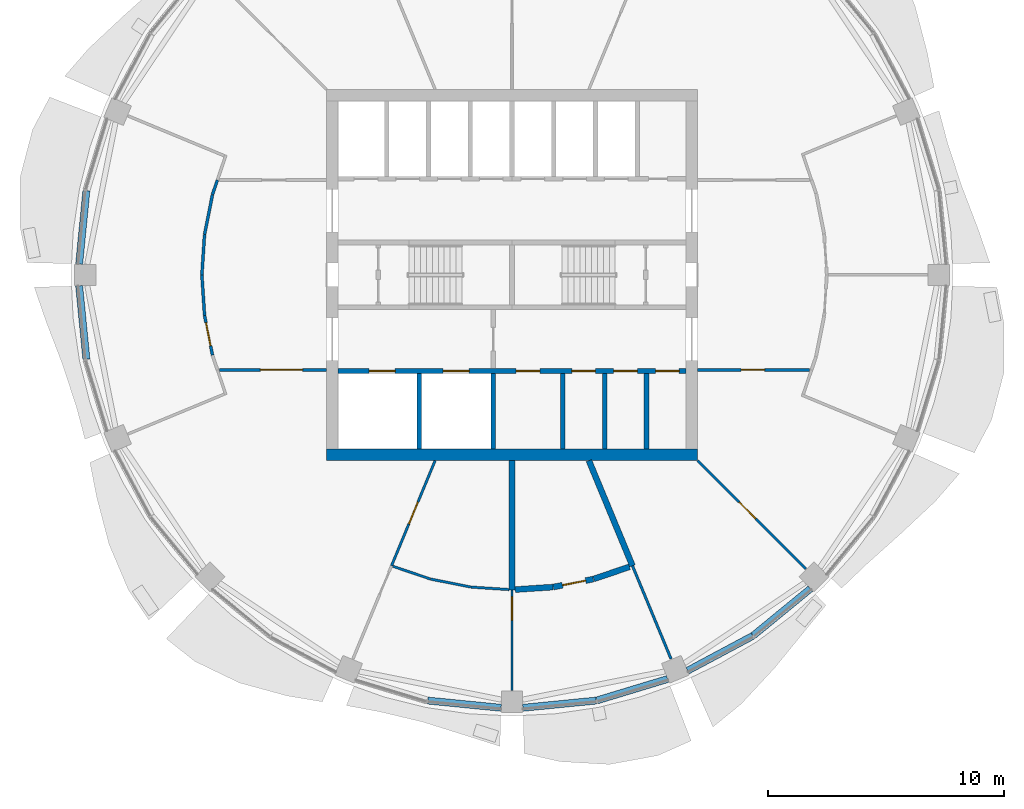
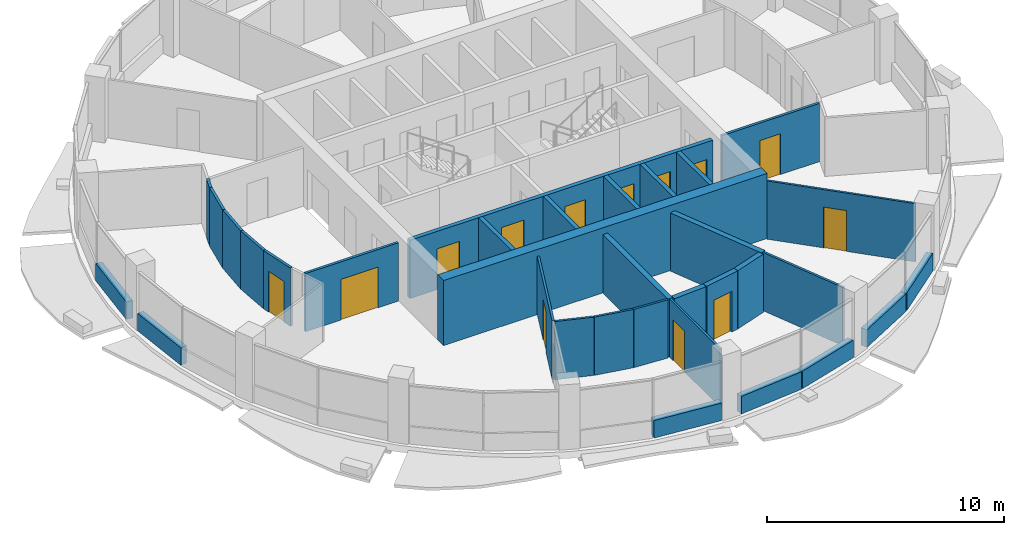
# One storey, part 8 of 15: 33 walls, 13 doors, 13 openings.
"""IFC4 building model written with IfcOpenShell, lengths in metres."""

from ifc_helpers import new_model, si_unit, direction, frame, frame_2d, origin, place, context, subcontext, project, spatial, rectangle, extrude, material, layer, layer_set, type_object, element, fill, save


model = new_model("IFC4")

# Units and contexts
model_context = context("Model", 3, precision=1e-05, world=origin(), true_north=direction((0.0, 1.0)))
body_context = subcontext(model_context, "Body", "Model", "MODEL_VIEW")
ifc_project = project(units=[si_unit("LENGTHUNIT", "METRE"), si_unit("AREAUNIT", "SQUARE_METRE"), si_unit("VOLUMEUNIT", "CUBIC_METRE"), si_unit("PLANEANGLEUNIT", "RADIAN"), si_unit("MASSUNIT", "GRAM", prefix="KILO")], contexts=[model_context])

# Site, building, storey
site_placement = place(None, origin())
site = spatial("IfcSite", under=ifc_project, at=site_placement, CompositionType="ELEMENT")
building_placement = place(site_placement, origin())
building = spatial("IfcBuilding", under=site, at=building_placement, Name="Polderwave Tower", CompositionType="ELEMENT")
storey_placement = place(building_placement, frame((0.0, 0.0, 174.25)))
storey = spatial("IfcBuildingStorey", under=building, at=storey_placement, Name="L46", CompositionType="ELEMENT", Elevation=174.25)

# Walls
ifc_material_1 = material(Name="Concrete C60/75", Category="concrete")
ifc_layer_1 = layer(ifc_material_1, 0.5)
ifc_layer_set_1 = layer_set([ifc_layer_1], Name="CORE WALL 500 C60/75")
wall_type_1 = type_object("IfcWallType", Name="CORE WALL 500 C60/75", PredefinedType="SHEAR", material=ifc_layer_set_1)
wall_1_placement = place(storey_placement, frame((-7.8740234375, -7.6240234375, 0.0), z_axis=(0.0, 0.0, 1.0), x_axis=(1.0, 0.0, 0.0)))
element("IfcWall", 1, at=wall_1_placement, inside=storey, type_object=wall_type_1, Name="ST-CORE-L46-S", PredefinedType="SHEAR", context=body_context, shape_type="SweptSolid", body=[
    extrude(rectangle(XDim=15.748046875, YDim=0.5, at=frame_2d((7.8740234375, 0.0))), origin(), (0.0, 0.0, 1.0), 3.35009765625),
])
ifc_material_2 = material(Name="Concrete C50/60 (board-marked)", Category="concrete")
ifc_layer_2 = layer(ifc_material_2, 0.300048828125)
ifc_layer_set_2 = layer_set([ifc_layer_2], Name="Concrete spandrel upstand C50/60")
wall_type_2 = type_object("IfcWallType", Name="Concrete spandrel upstand C50/60", PredefinedType="SOLIDWALL", material=ifc_layer_set_2)
for number, where, z_axis, x_axis, name in (
    (2, (-18.047607421875, 3.57421875, 0.0), (0.0, 0.0, 1.0), (-0.098188848083, -0.995167799978, 0.0), "Spandrel L46 8b"),
    (3, (-18.3544921875, -0.4638671875, 0.0), (0.0, 0.0, 1.0), (0.098188848083, -0.995167799978, 0.0), "Spandrel L46 9a"),
    (4, (-3.57421875, -18.047607421875, 0.0), (0.0, 0.0, 1.0), (0.995167799978, -0.098188848083, 0.0), "Spandrel L46 12b"),
    (5, (0.4638671875, -18.3544921875, 0.0), (0.0, 0.0, 1.0), (0.995167799978, 0.098188848083, 0.0), "Spandrel L46 13a"),
):
    element("IfcWall", number, at=place(storey_placement, frame(where, z_axis=z_axis, x_axis=x_axis)), inside=storey, type_object=wall_type_2, Name=name, PredefinedType="SOLIDWALL", context=body_context, shape_type="SweptSolid", body=[
        extrude(rectangle(XDim=3.12548828125, YDim=0.300048828125, at=frame_2d((1.562744140625, 0.0))), origin(), (0.0, 0.0, 1.0), 0.89990234375),
    ])
wall_2_placement = place(storey_placement, frame((3.603515625, -18.04150390625, 0.0), z_axis=(0.0, 0.0, 1.0), x_axis=(0.957001416136, 0.290083245834, 0.0)))
element("IfcWall", 6, at=wall_2_placement, inside=storey, type_object=wall_type_2, Name="Spandrel L46 13b", PredefinedType="SOLIDWALL", context=body_context, shape_type="SweptSolid", body=[
    extrude(rectangle(XDim=3.126708984375, YDim=0.300048828125, at=frame_2d((1.5634765625, 0.0))), origin(), (0.0, 0.0, 1.0), 0.89990234375),
])
wall_3_placement = place(storey_placement, frame((7.4521484375, -16.77880859375, 0.0), z_axis=(0.0, 0.0, 1.0), x_axis=(0.882024038027, 0.47120441036, 0.0)))
element("IfcWall", 7, at=wall_3_placement, inside=storey, type_object=wall_type_2, Name="Spandrel L46 14a", PredefinedType="SOLIDWALL", context=body_context, shape_type="SweptSolid", body=[
    extrude(rectangle(XDim=3.125244140625, YDim=0.300048828125, at=frame_2d((1.5625, 0.0))), origin(), (0.0, 0.0, 1.0), 0.89990234375),
])
wall_4_placement = place(storey_placement, frame((10.233642578125, -15.28955078125, 0.0), z_axis=(0.0, 0.0, 1.0), x_axis=(0.773170547901, 0.634198158195, 0.0)))
element("IfcWall", 8, at=wall_4_placement, inside=storey, type_object=wall_type_2, Name="Spandrel L46 14b", PredefinedType="SOLIDWALL", context=body_context, shape_type="SweptSolid", body=[
    extrude(rectangle(XDim=3.126953125, YDim=0.300048828125, at=frame_2d((1.5634765625, 0.0))), origin(), (0.0, 0.0, 1.0), 0.89990234375),
])
ifc_material_3 = material(Name="Gypsum board partition")
ifc_layer_3 = layer(ifc_material_3, 0.199951171875)
ifc_layer_set_3 = layer_set([ifc_layer_3], Name="Core room partition 200")
wall_type_3 = type_object("IfcWallType", Name="Core room partition 200", PredefinedType="PARTITIONING", material=ifc_layer_set_3)
for number, where, z_axis, x_axis, name in (
    (9, (2.153564453125, -7.3740234375, 0.0), (0.0, 0.0, 1.0), (0.0, 1.0, 0.0), "L46 room partition S1"),
    (10, (3.927001953125, -7.3740234375, 0.0), (0.0, 0.0, 1.0), (0.0, 1.0, 0.0), "L46 room partition S2"),
    (11, (5.700439453125, -7.3740234375, 0.0), (0.0, 0.0, 1.0), (0.0, 1.0, 0.0), "L46 room partition S3"),
):
    element("IfcWall", number, at=place(storey_placement, frame(where, z_axis=z_axis, x_axis=x_axis)), inside=storey, type_object=wall_type_3, Name=name, PredefinedType="PARTITIONING", context=body_context, shape_type="SweptSolid", body=[
        extrude(rectangle(XDim=3.199951171875, YDim=0.199951171875, at=frame_2d((1.60009765625, 0.0))), origin(), (0.0, 0.0, 1.0), 3.0),
    ])

# Wall, openings, doors
ifc_material_4 = material(Name="Concrete C50/60", Category="concrete")
ifc_layer_4 = layer(ifc_material_4, 0.199951171875)
ifc_layer_set_4 = layer_set([ifc_layer_4], Name="Core web wall 200")
wall_type_4 = type_object("IfcWallType", Name="Core web wall 200", PredefinedType="SHEAR", material=ifc_layer_set_4)
wall_5_placement = place(storey_placement, frame((-7.3740234375, -4.073974609375, 0.0), z_axis=(0.0, 0.0, 1.0), x_axis=(1.0, 0.0, 0.0)))
wall_5 = element("IfcWall", 12, at=wall_5_placement, inside=storey, type_object=wall_type_4, Name="L46 south front wall", PredefinedType="SHEAR", context=body_context, shape_type="SweptSolid", body=[
    extrude(rectangle(XDim=14.748046875, YDim=0.199951171875, at=frame_2d((7.3740234375, 0.0))), origin(), (0.0, 0.0, 1.0), 3.0),
])
opening_1_placement = place(wall_5_placement, frame((1.318603515625, 0.0, 0.0)))
opening_1 = element("IfcOpeningElement", 13, at=opening_1_placement, cuts=wall_5, Name="Opening L46-D01", PredefinedType="OPENING", context=body_context, shape_type="SweptSolid", body=[
    extrude(rectangle(XDim=1.10009765625, YDim=2.10009765625, at=frame_2d((0.550048828125, 1.050048828125))), frame((0.0, 0.10986328125, 0.0), z_axis=(0.0, -1.0, 0.0), x_axis=(1.0, 0.0, 0.0)), (0.0, 0.0, 1.0), 0.219970703125),
])
opening_2_placement = place(wall_5_placement, frame((4.45556640625, 0.0, 0.0)))
opening_2 = element("IfcOpeningElement", 14, at=opening_2_placement, cuts=wall_5, Name="Opening L46-D02", PredefinedType="OPENING", context=body_context, shape_type="SweptSolid", body=[
    extrude(rectangle(XDim=1.10009765625, YDim=2.10009765625, at=frame_2d((0.550048828125, 1.050048828125))), frame((0.0, 0.10986328125, 0.0), z_axis=(0.0, -1.0, 0.0), x_axis=(1.0, 0.0, 0.0)), (0.0, 0.0, 1.0), 0.219970703125),
])
opening_3_placement = place(wall_5_placement, frame((7.55078125, 0.0, 0.0)))
opening_3 = element("IfcOpeningElement", 15, at=opening_3_placement, cuts=wall_5, Name="Opening L46-D15", PredefinedType="OPENING", context=body_context, shape_type="SweptSolid", body=[
    extrude(rectangle(XDim=1.0, YDim=2.10009765625, at=frame_2d((0.5, 1.050048828125))), frame((0.0, 0.10986328125, 0.0), z_axis=(0.0, -1.0, 0.0), x_axis=(1.0, 0.0, 0.0)), (0.0, 0.0, 1.0), 0.219970703125),
])
opening_4_placement = place(wall_5_placement, frame((9.914306640625, 0.0, 0.0)))
opening_4 = element("IfcOpeningElement", 16, at=opening_4_placement, cuts=wall_5, Name="Opening L46-D16", PredefinedType="OPENING", context=body_context, shape_type="SweptSolid", body=[
    extrude(rectangle(XDim=1.0, YDim=2.10009765625, at=frame_2d((0.5, 1.050048828125))), frame((0.0, 0.10986328125, 0.0), z_axis=(0.0, -1.0, 0.0), x_axis=(1.0, 0.0, 0.0)), (0.0, 0.0, 1.0), 0.219970703125),
])
opening_5_placement = place(wall_5_placement, frame((11.687744140625, 0.0, 0.0)))
opening_5 = element("IfcOpeningElement", 17, at=opening_5_placement, cuts=wall_5, Name="Opening L46-D17", PredefinedType="OPENING", context=body_context, shape_type="SweptSolid", body=[
    extrude(rectangle(XDim=1.0, YDim=2.10009765625, at=frame_2d((0.5, 1.050048828125))), frame((0.0, 0.10986328125, 0.0), z_axis=(0.0, -1.0, 0.0), x_axis=(1.0, 0.0, 0.0)), (0.0, 0.0, 1.0), 0.219970703125),
])
opening_6_placement = place(wall_5_placement, frame((13.461181640625, 0.0, 0.0)))
opening_6 = element("IfcOpeningElement", 18, at=opening_6_placement, cuts=wall_5, Name="Opening L46-D18", PredefinedType="OPENING", context=body_context, shape_type="SweptSolid", body=[
    extrude(rectangle(XDim=1.0, YDim=2.10009765625, at=frame_2d((0.5, 1.050048828125))), frame((0.0, 0.10986328125, 0.0), z_axis=(0.0, -1.0, 0.0), x_axis=(1.0, 0.0, 0.0)), (0.0, 0.0, 1.0), 0.219970703125),
])
ifc_material_5 = material(Name="Stainless steel", Category="steel")
door_type_1 = type_object("IfcDoorType", Name="Fire-fighting lift landing door 1100", OperationType="DOUBLE_DOOR_SLIDING", PredefinedType="DOOR", material=ifc_material_5)
door_1_placement = place(opening_1_placement, origin())
door_1 = element("IfcDoor", 19, at=door_1_placement, inside=storey, type_object=door_type_1, Name="Fire-fighting lift FF1 landing door", OperationType="DOUBLE_DOOR_SLIDING", OverallHeight=2.10009765625, OverallWidth=1.10009765625, PredefinedType="DOOR", context=body_context, shape_type="SweptSolid", body=[
    extrude(rectangle(XDim=1.10009765625, YDim=2.10009765625, at=frame_2d((0.550048828125, 1.050048828125))), frame((0.0, 0.02490234375, 0.0), z_axis=(0.0, -1.0, 0.0), x_axis=(1.0, 0.0, 0.0)), (0.0, 0.0, 1.0), 0.050048828125),
])
fill(opening_1, door_1)
door_2_placement = place(opening_2_placement, origin())
door_2 = element("IfcDoor", 20, at=door_2_placement, inside=storey, type_object=door_type_1, Name="Fire-fighting lift FF2 landing door", OperationType="DOUBLE_DOOR_SLIDING", OverallHeight=2.10009765625, OverallWidth=1.10009765625, PredefinedType="DOOR", context=body_context, shape_type="SweptSolid", body=[
    extrude(rectangle(XDim=1.10009765625, YDim=2.10009765625, at=frame_2d((0.550048828125, 1.050048828125))), frame((0.0, 0.02490234375, 0.0), z_axis=(0.0, -1.0, 0.0), x_axis=(1.0, 0.0, 0.0)), (0.0, 0.0, 1.0), 0.050048828125),
])
fill(opening_2, door_2)
ifc_material_6 = material(Name="Timber door leaf", Category="wood")
door_type_2 = type_object("IfcDoorType", Name="Room door 1000", OperationType="NOTDEFINED", PredefinedType="DOOR", material=ifc_material_6)
door_3_placement = place(opening_3_placement, frame((1.0, 0.0, 0.0), z_axis=(0.0, 0.0, 1.0), x_axis=(-1.0, 0.0, 0.0)))
door_3 = element("IfcDoor", 21, at=door_3_placement, inside=storey, type_object=door_type_2, Name="Pantry door", OperationType="SINGLE_SWING_LEFT", OverallHeight=2.10009765625, OverallWidth=1.0, PredefinedType="DOOR", context=body_context, shape_type="SweptSolid", body=[
    extrude(rectangle(XDim=1.0, YDim=2.10009765625, at=frame_2d((0.5, 1.050048828125))), frame((0.0, 0.02490234375, 0.0), z_axis=(0.0, -1.0, 0.0), x_axis=(1.0, 0.0, 0.0)), (0.0, 0.0, 1.0), 0.050048828125),
])
fill(opening_3, door_3)
door_4_placement = place(opening_4_placement, frame((1.0, 0.0, 0.0), z_axis=(0.0, 0.0, 1.0), x_axis=(-1.0, 0.0, 0.0)))
door_4 = element("IfcDoor", 22, at=door_4_placement, inside=storey, type_object=door_type_2, Name="Store door", OperationType="SINGLE_SWING_LEFT", OverallHeight=2.10009765625, OverallWidth=1.0, PredefinedType="DOOR", context=body_context, shape_type="SweptSolid", body=[
    extrude(rectangle(XDim=1.0, YDim=2.10009765625, at=frame_2d((0.5, 1.050048828125))), frame((0.0, 0.02490234375, 0.0), z_axis=(0.0, -1.0, 0.0), x_axis=(1.0, 0.0, 0.0)), (0.0, 0.0, 1.0), 0.050048828125),
])
fill(opening_4, door_4)
door_5_placement = place(opening_5_placement, frame((1.0, 0.0, 0.0), z_axis=(0.0, 0.0, 1.0), x_axis=(-1.0, 0.0, 0.0)))
door_5 = element("IfcDoor", 23, at=door_5_placement, inside=storey, type_object=door_type_2, Name="Staff WC door", OperationType="SINGLE_SWING_LEFT", OverallHeight=2.10009765625, OverallWidth=1.0, PredefinedType="DOOR", context=body_context, shape_type="SweptSolid", body=[
    extrude(rectangle(XDim=1.0, YDim=2.10009765625, at=frame_2d((0.5, 1.050048828125))), frame((0.0, 0.02490234375, 0.0), z_axis=(0.0, -1.0, 0.0), x_axis=(1.0, 0.0, 0.0)), (0.0, 0.0, 1.0), 0.050048828125),
])
fill(opening_5, door_5)
door_6_placement = place(opening_6_placement, frame((1.0, 0.0, 0.0), z_axis=(0.0, 0.0, 1.0), x_axis=(-1.0, 0.0, 0.0)))
door_6 = element("IfcDoor", 24, at=door_6_placement, inside=storey, type_object=door_type_2, Name="Cleaner's store door", OperationType="SINGLE_SWING_LEFT", OverallHeight=2.10009765625, OverallWidth=1.0, PredefinedType="DOOR", context=body_context, shape_type="SweptSolid", body=[
    extrude(rectangle(XDim=1.0, YDim=2.10009765625, at=frame_2d((0.5, 1.050048828125))), frame((0.0, 0.02490234375, 0.0), z_axis=(0.0, -1.0, 0.0), x_axis=(1.0, 0.0, 0.0)), (0.0, 0.0, 1.0), 0.050048828125),
])
fill(opening_6, door_6)

# Wall, opening, door
ifc_material_7 = material(Name="Fire-resisting board on steel studs", Category="steel")
ifc_layer_5 = layer(ifc_material_7, 0.125)
ifc_layer_set_5 = layer_set([ifc_layer_5], Name="Corridor wall 125 mm EI 60")
wall_type_5 = type_object("IfcWallType", Name="Corridor wall 125 mm EI 60", PredefinedType="PARTITIONING", material=ifc_layer_set_5)
wall_6_placement = place(storey_placement, frame((12.61474609375, -4.0244140625, 0.0), z_axis=(0.0, 0.0, 1.0), x_axis=(-1.0, 0.0, 0.0)))
wall_6 = element("IfcWall", 25, at=wall_6_placement, inside=storey, type_object=wall_type_5, Name="IN-L46-W005", PredefinedType="PARTITIONING", context=body_context, shape_type="SweptSolid", body=[
    extrude(rectangle(XDim=4.74072265625, YDim=0.125, at=frame_2d((2.370361328125, 0.0))), origin(), (0.0, 0.0, 1.0), 3.0),
])
opening_7_placement = place(wall_6_placement, frame((1.89990234375, 0.0, 0.0)))
opening_7 = element("IfcOpeningElement", 26, at=opening_7_placement, cuts=wall_6, Name="Opening L46-D52", PredefinedType="OPENING", context=body_context, shape_type="SweptSolid", body=[
    extrude(rectangle(XDim=1.0, YDim=2.10009765625, at=frame_2d((0.5, 1.050048828125))), frame((0.0, 0.072509765625, 0.0), z_axis=(0.0, -1.0, 0.0), x_axis=(1.0, 0.0, 0.0)), (0.0, 0.0, 1.0), 0.14501953125),
])
ifc_material_8 = material(Name="Timber fire door leaf", Category="wood")
door_type_3 = type_object("IfcDoorType", Name="Fire door FD30S 1000 x 2100", OperationType="NOTDEFINED", PredefinedType="DOOR", material=ifc_material_8)
door_7_placement = place(opening_7_placement, origin())
door_7 = element("IfcDoor", 27, at=door_7_placement, inside=storey, type_object=door_type_3, Name="Door L46-D52", OperationType="SINGLE_SWING_RIGHT", OverallHeight=2.10009765625, OverallWidth=1.0, PredefinedType="DOOR", context=body_context, shape_type="SweptSolid", body=[
    extrude(rectangle(XDim=1.0, YDim=2.10009765625, at=frame_2d((0.5, 1.050048828125))), frame((0.0, 0.02490234375, 0.0), z_axis=(0.0, -1.0, 0.0), x_axis=(1.0, 0.0, 0.0)), (0.0, 0.0, 1.0), 0.050048828125),
])
fill(opening_7, door_7)

# Walls
for number, where, z_axis, x_axis, name in (
    (28, (-13.149658203125, 0.004150390625, 0.0), (0.0, 0.0, 1.0), (0.06531684654, 0.997864574759, 0.0), "IN-L46-W010"),
    (29, (-13.037841796875, -1.71240234375, 0.0), (0.0, 0.0, 1.0), (-0.06531684654, 0.997864574759, 0.0), "IN-L46-W011"),
    (30, (-13.03662109375, 1.720458984375, 0.0), (0.0, 0.0, 1.0), (0.195101249107, 0.980783106806, 0.0), "IN-L46-W012"),
):
    element("IfcWall", number, at=place(storey_placement, frame(where, z_axis=z_axis, x_axis=x_axis)), inside=storey, type_object=wall_type_5, Name=name, PredefinedType="PARTITIONING", context=body_context, shape_type="SweptSolid", body=[
        extrude(rectangle(XDim=1.7119140625, YDim=0.125, at=frame_2d((0.85595703125, 0.0))), origin(), (0.0, 0.0, 1.0), 3.0),
    ])

# Wall, opening, door
wall_7_placement = place(storey_placement, frame((-12.70263671875, -3.3994140625, 0.0), z_axis=(0.0, 0.0, 1.0), x_axis=(-0.195101249107, 0.980783106806, 0.0)))
wall_7 = element("IfcWall", 31, at=wall_7_placement, inside=storey, type_object=wall_type_5, Name="IN-L46-W013", PredefinedType="PARTITIONING", context=body_context, shape_type="SweptSolid", body=[
    extrude(rectangle(XDim=1.7119140625, YDim=0.125, at=frame_2d((0.85595703125, 0.0))), origin(), (0.0, 0.0, 1.0), 3.0),
])
opening_8_placement = place(wall_7_placement, frame((0.39990234375, 0.0, 0.0)))
opening_8 = element("IfcOpeningElement", 32, at=opening_8_placement, cuts=wall_7, Name="Opening L46-D55", PredefinedType="OPENING", context=body_context, shape_type="SweptSolid", body=[
    extrude(rectangle(XDim=1.0, YDim=2.10009765625, at=frame_2d((0.5, 1.050048828125))), frame((0.0, 0.072509765625, 0.0), z_axis=(0.0, -1.0, 0.0), x_axis=(1.0, 0.0, 0.0)), (0.0, 0.0, 1.0), 0.14501953125),
])
door_8_placement = place(opening_8_placement, origin())
door_8 = element("IfcDoor", 33, at=door_8_placement, inside=storey, type_object=door_type_3, Name="Door L46-D55", OperationType="SINGLE_SWING_RIGHT", OverallHeight=2.10009765625, OverallWidth=1.0, PredefinedType="DOOR", context=body_context, shape_type="SweptSolid", body=[
    extrude(rectangle(XDim=1.0, YDim=2.10009765625, at=frame_2d((0.5, 1.050048828125))), frame((0.0, 0.02490234375, 0.0), z_axis=(0.0, -1.0, 0.0), x_axis=(1.0, 0.0, 0.0)), (0.0, 0.0, 1.0), 0.050048828125),
])
fill(opening_8, door_8)

# Wall
wall_8_placement = place(storey_placement, frame((-12.70068359375, 3.407470703125, 0.0), z_axis=(0.0, 0.0, 1.0), x_axis=(0.321506357846, 0.946907419902, 0.0)))
element("IfcWall", 34, at=wall_8_placement, inside=storey, type_object=wall_type_5, Name="IN-L46-W014", PredefinedType="PARTITIONING", context=body_context, shape_type="SweptSolid", body=[
    extrude(rectangle(XDim=0.651611328125, YDim=0.125, at=frame_2d((0.32568359375, 0.0))), origin(), (0.0, 0.0, 1.0), 3.0),
])

# Wall, opening, door
wall_9_placement = place(storey_placement, frame((-7.8740234375, -4.0244140625, 0.0), z_axis=(0.0, 0.0, 1.0), x_axis=(-1.0, 0.0, 0.0)))
wall_9 = element("IfcWall", 35, at=wall_9_placement, inside=storey, type_object=wall_type_5, Name="IN-L46-W016", PredefinedType="PARTITIONING", context=body_context, shape_type="SweptSolid", body=[
    extrude(rectangle(XDim=4.52978515625, YDim=0.125, at=frame_2d((2.264892578125, 0.0))), origin(), (0.0, 0.0, 1.0), 3.0),
])
opening_9_placement = place(wall_9_placement, frame((1.0, 0.0, 0.0)))
opening_9 = element("IfcOpeningElement", 36, at=opening_9_placement, cuts=wall_9, Name="Opening L46-D56", PredefinedType="OPENING", context=body_context, shape_type="SweptSolid", body=[
    extrude(rectangle(XDim=1.800048828125, YDim=2.10009765625, at=frame_2d((0.89990234375, 1.050048828125))), frame((0.0, 0.072509765625, 0.0), z_axis=(0.0, -1.0, 0.0), x_axis=(1.0, 0.0, 0.0)), (0.0, 0.0, 1.0), 0.14501953125),
])
ifc_material_9 = material(Name="Timber fire door leaves", Category="wood")
door_type_4 = type_object("IfcDoorType", Name="Double fire door FD30S 1800 x 2100", OperationType="NOTDEFINED", PredefinedType="DOOR", material=ifc_material_9)
door_9_placement = place(opening_9_placement, origin())
door_9 = element("IfcDoor", 37, at=door_9_placement, inside=storey, type_object=door_type_4, Name="Door L46-D56", OperationType="DOUBLE_DOOR_SINGLE_SWING", OverallHeight=2.10009765625, OverallWidth=1.800048828125, PredefinedType="DOOR", context=body_context, shape_type="SweptSolid", body=[
    extrude(rectangle(XDim=1.800048828125, YDim=2.10009765625, at=frame_2d((0.89990234375, 1.050048828125))), frame((0.0, 0.02490234375, 0.0), z_axis=(0.0, -1.0, 0.0), x_axis=(1.0, 0.0, 0.0)), (0.0, 0.0, 1.0), 0.050048828125),
])
fill(opening_9, door_9)

ifc_material_10 = material(Name="Plasterboard on steel studs", Category="steel")
ifc_layer_6 = layer(ifc_material_10, 0.10009765625)
ifc_layer_set_6 = layer_set([ifc_layer_6], Name="Partition 100 mm plasterboard on steel studs")
wall_type_6 = type_object("IfcWallType", Name="Partition 100 mm plasterboard on steel studs", PredefinedType="PARTITIONING", material=ifc_layer_set_6)
wall_10_placement = place(storey_placement, frame((0.0, -13.35009765625, 0.0), z_axis=(0.0, 0.0, 1.0), x_axis=(0.0, -1.0, 0.0)))
wall_10 = element("IfcWall", 38, at=wall_10_placement, inside=storey, type_object=wall_type_6, Name="IN-L46-W042", PredefinedType="PARTITIONING", context=body_context, shape_type="SweptSolid", body=[
    extrude(rectangle(XDim=4.27001953125, YDim=0.10009765625, at=frame_2d((2.135009765625, 0.0))), origin(), (0.0, 0.0, 1.0), 3.0),
])
opening_10_placement = place(wall_10_placement, frame((0.300048828125, 0.0, 0.0)))
opening_10 = element("IfcOpeningElement", 39, at=opening_10_placement, cuts=wall_10, Name="Opening L46-D63", PredefinedType="OPENING", context=body_context, shape_type="SweptSolid", body=[
    extrude(rectangle(XDim=1.0, YDim=2.10009765625, at=frame_2d((0.5, 1.050048828125))), frame((0.0, 0.06005859375, 0.0), z_axis=(0.0, -1.0, 0.0), x_axis=(1.0, 0.0, 0.0)), (0.0, 0.0, 1.0), 0.1201171875),
])
ifc_material_11 = material(Name="Timber veneer door leaf", Category="wood")
door_type_5 = type_object("IfcDoorType", Name="Single door 1000 x 2100", OperationType="NOTDEFINED", PredefinedType="DOOR", material=ifc_material_11)
door_10_placement = place(opening_10_placement, origin())
door_10 = element("IfcDoor", 40, at=door_10_placement, inside=storey, type_object=door_type_5, Name="Door L46-D63", OperationType="SINGLE_SWING_LEFT", OverallHeight=2.10009765625, OverallWidth=1.0, PredefinedType="DOOR", context=body_context, shape_type="SweptSolid", body=[
    extrude(rectangle(XDim=1.0, YDim=2.10009765625, at=frame_2d((0.5, 1.050048828125))), frame((0.0, 0.02490234375, 0.0), z_axis=(0.0, -1.0, 0.0), x_axis=(1.0, 0.0, 0.0)), (0.0, 0.0, 1.0), 0.050048828125),
])
fill(opening_10, door_10)

wall_11_placement = place(storey_placement, frame((12.459228515625, -12.459228515625, 0.0), z_axis=(0.0, 0.0, 1.0), x_axis=(-0.707106781187, 0.707106781187, 0.0)))
wall_11 = element("IfcWall", 41, at=wall_11_placement, inside=storey, type_object=wall_type_6, Name="IN-L46-W048", PredefinedType="PARTITIONING", context=body_context, shape_type="SweptSolid", body=[
    extrude(rectangle(XDim=6.484375, YDim=0.10009765625, at=frame_2d((3.2421875, 0.0))), origin(), (0.0, 0.0, 1.0), 3.0),
])
opening_11_placement = place(wall_11_placement, frame((3.0, 0.0, 0.0)))
opening_11 = element("IfcOpeningElement", 42, at=opening_11_placement, cuts=wall_11, Name="Opening L46-D65", PredefinedType="OPENING", context=body_context, shape_type="SweptSolid", body=[
    extrude(rectangle(XDim=1.0, YDim=2.10009765625, at=frame_2d((0.5, 1.050048828125))), frame((0.0, 0.06005859375, 0.0), z_axis=(0.0, -1.0, 0.0), x_axis=(1.0, 0.0, 0.0)), (0.0, 0.0, 1.0), 0.1201171875),
])
door_11_placement = place(opening_11_placement, origin())
door_11 = element("IfcDoor", 43, at=door_11_placement, inside=storey, type_object=door_type_5, Name="Door L46-D65", OperationType="SINGLE_SWING_RIGHT", OverallHeight=2.10009765625, OverallWidth=1.0, PredefinedType="DOOR", context=body_context, shape_type="SweptSolid", body=[
    extrude(rectangle(XDim=1.0, YDim=2.10009765625, at=frame_2d((0.5, 1.050048828125))), frame((0.0, 0.02490234375, 0.0), z_axis=(0.0, -1.0, 0.0), x_axis=(1.0, 0.0, 0.0)), (0.0, 0.0, 1.0), 0.050048828125),
])
fill(opening_11, door_11)

ifc_material_12 = material(Name="Moisture-resistant board on steel studs, tiled", Category="steel")
ifc_layer_7 = layer(ifc_material_12, 0.10498046875)
ifc_layer_set_7 = layer_set([ifc_layer_7], Name="Partition 105 mm wet room board and tile")
wall_type_7 = type_object("IfcWallType", Name="Partition 105 mm wet room board and tile", PredefinedType="PARTITIONING", material=ifc_layer_set_7)
wall_12_placement = place(storey_placement, frame((-3.261474609375, -7.8740234375, 0.0), z_axis=(0.0, 0.0, 1.0), x_axis=(-0.382707643949, -0.923869503373, 0.0)))
wall_12 = element("IfcWall", 44, at=wall_12_placement, inside=storey, type_object=wall_type_7, Name="IN-L46-W036", PredefinedType="PARTITIONING", context=body_context, shape_type="SweptSolid", body=[
    extrude(rectangle(XDim=4.8271484375, YDim=0.10498046875, at=frame_2d((2.41357421875, 0.0))), origin(), (0.0, 0.0, 1.0), 3.0),
])
opening_12_placement = place(wall_12_placement, frame((1.89990234375, 0.0, 0.0)))
opening_12 = element("IfcOpeningElement", 45, at=opening_12_placement, cuts=wall_12, Name="Opening L46-D61", PredefinedType="OPENING", context=body_context, shape_type="SweptSolid", body=[
    extrude(rectangle(XDim=1.0, YDim=2.10009765625, at=frame_2d((0.5, 1.050048828125))), frame((0.0, 0.0625, 0.0), z_axis=(0.0, -1.0, 0.0), x_axis=(1.0, 0.0, 0.0)), (0.0, 0.0, 1.0), 0.125),
])
door_12_placement = place(opening_12_placement, origin())
door_12 = element("IfcDoor", 46, at=door_12_placement, inside=storey, type_object=door_type_5, Name="Door L46-D61", OperationType="SINGLE_SWING_LEFT", OverallHeight=2.10009765625, OverallWidth=1.0, PredefinedType="DOOR", context=body_context, shape_type="SweptSolid", body=[
    extrude(rectangle(XDim=1.0, YDim=2.10009765625, at=frame_2d((0.5, 1.050048828125))), frame((0.0, 0.02490234375, 0.0), z_axis=(0.0, -1.0, 0.0), x_axis=(1.0, 0.0, 0.0)), (0.0, 0.0, 1.0), 0.050048828125),
])
fill(opening_12, door_12)

# Walls
wall_13_placement = place(storey_placement, frame((-3.45849609375, -12.89404296875, 0.0), z_axis=(0.0, 0.0, 1.0), x_axis=(-0.946917341597, 0.321477134773, 0.0)))
element("IfcWall", 47, at=wall_13_placement, inside=storey, type_object=wall_type_7, Name="IN-L46-W038", PredefinedType="PARTITIONING", context=body_context, shape_type="SweptSolid", body=[
    extrude(rectangle(XDim=1.686767578125, YDim=0.10498046875, at=frame_2d((0.84326171875, 0.0))), origin(), (0.0, 0.0, 1.0), 3.0),
])
wall_14_placement = place(storey_placement, frame((-1.745849609375, -13.235107421875, 0.0), z_axis=(0.0, 0.0, 1.0), x_axis=(-0.980785270285, 0.195090372882, 0.0)))
element("IfcWall", 48, at=wall_14_placement, inside=storey, type_object=wall_type_7, Name="IN-L46-W039", PredefinedType="PARTITIONING", context=body_context, shape_type="SweptSolid", body=[
    extrude(rectangle(XDim=1.739501953125, YDim=0.10498046875, at=frame_2d((0.86962890625, 0.0))), origin(), (0.0, 0.0, 1.0), 3.0),
])
wall_15_placement = place(storey_placement, frame((-0.12841796875, -13.341552734375, 0.0), z_axis=(0.0, 0.0, 1.0), x_axis=(-0.997862773684, 0.065344356258, 0.0)))
element("IfcWall", 49, at=wall_15_placement, inside=storey, type_object=wall_type_7, Name="IN-L46-W040", PredefinedType="PARTITIONING", context=body_context, shape_type="SweptSolid", body=[
    extrude(rectangle(XDim=1.614013671875, YDim=0.10498046875, at=frame_2d((0.80712890625, 0.0))), origin(), (0.0, 0.0, 1.0), 3.0),
])
ifc_material_13 = material(Name="Acoustic double plasterboard on steel studs", Category="steel")
ifc_layer_8 = layer(ifc_material_13, 0.110107421875)
ifc_layer_set_8 = layer_set([ifc_layer_8], Name="Partition 110 mm acoustic double board")
wall_type_8 = type_object("IfcWallType", Name="Partition 110 mm acoustic double board", PredefinedType="PARTITIONING", material=ifc_layer_set_8)
wall_16_placement = place(storey_placement, frame((5.10888671875, -12.333740234375, 0.0), z_axis=(0.0, 0.0, 1.0), x_axis=(0.382669916503, -0.923885130849, 0.0)))
element("IfcWall", 50, at=wall_16_placement, inside=storey, type_object=wall_type_8, Name="IN-L46-W047", PredefinedType="PARTITIONING", context=body_context, shape_type="SweptSolid", body=[
    extrude(rectangle(XDim=4.27001953125, YDim=0.110107421875, at=frame_2d((2.135009765625, 0.0))), origin(), (0.0, 0.0, 1.0), 3.0),
])
ifc_material_14 = material(Name="Fire-resisting board on steel studs, mineral wool", Category="steel")
ifc_layer_9 = layer(ifc_material_14, 0.25)
ifc_layer_set_9 = layer_set([ifc_layer_9], Name="Plant room wall 250 mm EI 120")
wall_type_9 = type_object("IfcWallType", Name="Plant room wall 250 mm EI 120", PredefinedType="PARTITIONING", material=ifc_layer_set_9)
wall_17_placement = place(storey_placement, frame((0.0, -7.8740234375, 0.0), z_axis=(0.0, 0.0, 1.0), x_axis=(0.0, -1.0, 0.0)))
element("IfcWall", 51, at=wall_17_placement, inside=storey, type_object=wall_type_9, Name="IN-L46-W041", PredefinedType="PARTITIONING", context=body_context, shape_type="SweptSolid", body=[
    extrude(rectangle(XDim=5.47607421875, YDim=0.25, at=frame_2d((2.738037109375, 0.0))), origin(), (0.0, 0.0, 1.0), 3.0),
])
wall_18_placement = place(storey_placement, frame((1.734375, -13.236328125, 0.0), z_axis=(0.0, 0.0, 1.0), x_axis=(-0.997857274773, -0.065428275107, 0.0)))
element("IfcWall", 52, at=wall_18_placement, inside=storey, type_object=wall_type_9, Name="IN-L46-W043", PredefinedType="PARTITIONING", context=body_context, shape_type="SweptSolid", body=[
    extrude(rectangle(XDim=1.6044921875, YDim=0.25, at=frame_2d((0.80224609375, 0.0))), origin(), (0.0, 0.0, 1.0), 3.0),
])

# Wall, opening, door
wall_19_placement = place(storey_placement, frame((1.75048828125, -13.234130859375, 0.0), z_axis=(0.0, 0.0, 1.0), x_axis=(0.98079718542, 0.195030461907, 0.0)))
wall_19 = element("IfcWall", 53, at=wall_19_placement, inside=storey, type_object=wall_type_9, Name="IN-L46-W044", PredefinedType="PARTITIONING", context=body_context, shape_type="SweptSolid", body=[
    extrude(rectangle(XDim=1.72998046875, YDim=0.25, at=frame_2d((0.864990234375, 0.0))), origin(), (0.0, 0.0, 1.0), 3.0),
])
opening_13_placement = place(wall_19_placement, frame((0.39990234375, 0.0, 0.0)))
opening_13 = element("IfcOpeningElement", 54, at=opening_13_placement, cuts=wall_19, Name="Opening L46-D64", PredefinedType="OPENING", context=body_context, shape_type="SweptSolid", body=[
    extrude(rectangle(XDim=1.0, YDim=2.10009765625, at=frame_2d((0.5, 1.050048828125))), frame((0.0, 0.135009765625, 0.0), z_axis=(0.0, -1.0, 0.0), x_axis=(1.0, 0.0, 0.0)), (0.0, 0.0, 1.0), 0.27001953125),
])
ifc_material_15 = material(Name="Steel plant door leaf", Category="steel")
door_type_6 = type_object("IfcDoorType", Name="Plant door FD60 1000 x 2100 steel", OperationType="NOTDEFINED", PredefinedType="DOOR", material=ifc_material_15)
door_13_placement = place(opening_13_placement, origin())
door_13 = element("IfcDoor", 55, at=door_13_placement, inside=storey, type_object=door_type_6, Name="Door L46-D64", OperationType="SINGLE_SWING_RIGHT", OverallHeight=2.10009765625, OverallWidth=1.0, PredefinedType="DOOR", context=body_context, shape_type="SweptSolid", body=[
    extrude(rectangle(XDim=1.0, YDim=2.10009765625, at=frame_2d((0.5, 1.050048828125))), frame((0.0, 0.02490234375, 0.0), z_axis=(0.0, -1.0, 0.0), x_axis=(1.0, 0.0, 0.0)), (0.0, 0.0, 1.0), 0.050048828125),
])
fill(opening_13, door_13)

# Walls
wall_20_placement = place(storey_placement, frame((4.982421875, -12.376708984375, 0.0), z_axis=(0.0, 0.0, 1.0), x_axis=(-0.946919168061, -0.321471754838, 0.0)))
element("IfcWall", 56, at=wall_20_placement, inside=storey, type_object=wall_type_9, Name="IN-L46-W045", PredefinedType="PARTITIONING", context=body_context, shape_type="SweptSolid", body=[
    extrude(rectangle(XDim=1.604736328125, YDim=0.25, at=frame_2d((0.80224609375, 0.0))), origin(), (0.0, 0.0, 1.0), 3.0),
])
wall_21_placement = place(storey_placement, frame((3.261474609375, -7.8740234375, 0.0), z_axis=(0.0, 0.0, 1.0), x_axis=(0.382707643949, -0.923869503373, 0.0)))
element("IfcWall", 57, at=wall_21_placement, inside=storey, type_object=wall_type_9, Name="IN-L46-W046", PredefinedType="PARTITIONING", context=body_context, shape_type="SweptSolid", body=[
    extrude(rectangle(XDim=4.8271484375, YDim=0.25, at=frame_2d((2.41357421875, 0.0))), origin(), (0.0, 0.0, 1.0), 3.0),
])
ifc_material_16 = material(Name="Gypsum shaft wall system")
ifc_layer_10 = layer(ifc_material_16, 0.199951171875)
ifc_layer_set_10 = layer_set([ifc_layer_10], Name="Shaft wall 200")
wall_type_10 = type_object("IfcWallType", Name="Shaft wall 200", PredefinedType="PARTITIONING", material=ifc_layer_set_10)
for number, where, z_axis, x_axis, name in (
    (58, (-3.93701171875, -7.3740234375, 0.0), (0.0, 0.0, 1.0), (0.0, 1.0, 0.0), "L46 fire-fighting shaft wall 1"),
    (59, (-0.800048828125, -7.3740234375, 0.0), (0.0, 0.0, 1.0), (0.0, 1.0, 0.0), "L46 fire-fighting shaft wall 2"),
):
    element("IfcWall", number, at=place(storey_placement, frame(where, z_axis=z_axis, x_axis=x_axis)), inside=storey, type_object=wall_type_10, Name=name, PredefinedType="PARTITIONING", context=body_context, shape_type="SweptSolid", body=[
        extrude(rectangle(XDim=3.199951171875, YDim=0.199951171875, at=frame_2d((1.60009765625, 0.0))), origin(), (0.0, 0.0, 1.0), 3.0),
    ])

save(model, "model.ifc")
